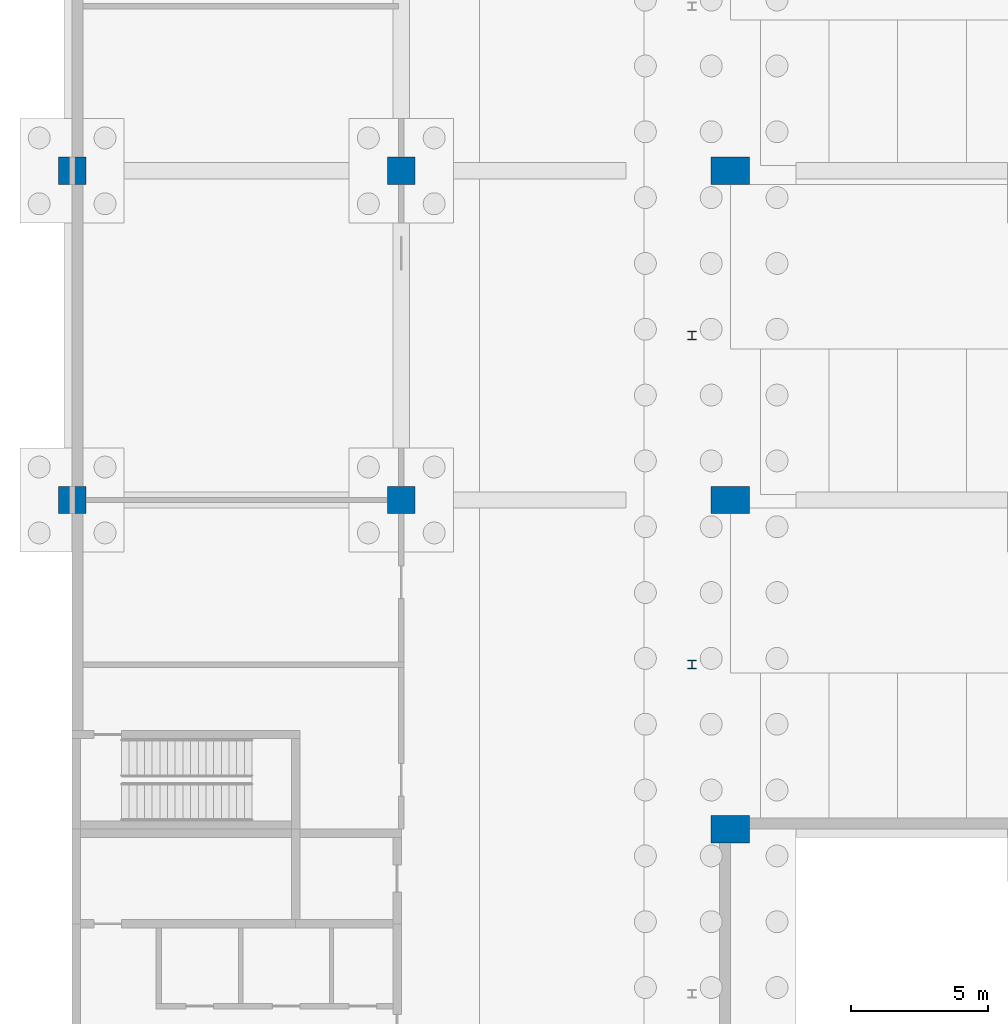
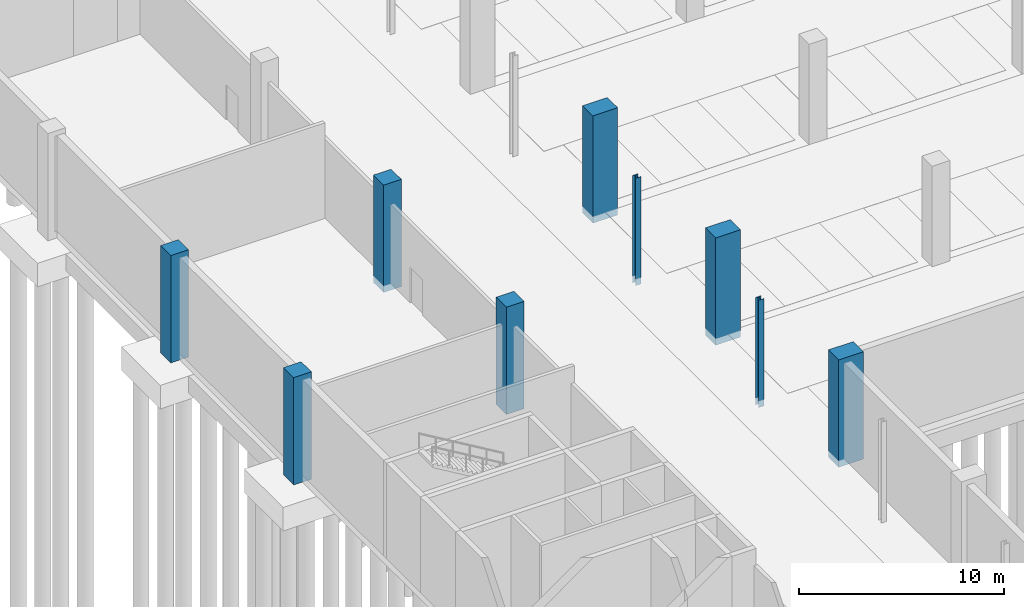
# One storey, part 7 of 34: 9 columns.
"""IFC4 building model written with IfcOpenShell, lengths in metres."""

from ifc_helpers import new_model, si_unit, direction, frame, origin, origin_2d, place, context, subcontext, project, spatial, rectangle, i_section, extrude, material, material_profile, profile_set, type_object, element, save


model = new_model("IFC4")

# Units and contexts
model_context = context("Model", 3, precision=1e-05, world=origin(), true_north=direction((0.0, 1.0)))
body_context = subcontext(model_context, "Body", "Model", "MODEL_VIEW")
ifc_project = project(units=[si_unit("LENGTHUNIT", "METRE"), si_unit("AREAUNIT", "SQUARE_METRE"), si_unit("VOLUMEUNIT", "CUBIC_METRE"), si_unit("PLANEANGLEUNIT", "RADIAN"), si_unit("MASSUNIT", "GRAM", prefix="KILO")], contexts=[model_context])

# Site, building, storey
site_placement = place(None, origin())
site = spatial("IfcSite", under=ifc_project, at=site_placement, CompositionType="ELEMENT")
building_placement = place(site_placement, origin())
building = spatial("IfcBuilding", under=site, at=building_placement, Name="Lilac Gate Convention Centre", CompositionType="ELEMENT")
storey_placement = place(building_placement, frame((0.0, 0.0, -6.0)))
storey = spatial("IfcBuildingStorey", under=building, at=storey_placement, Name="B1", CompositionType="ELEMENT", Elevation=-6.0)

# Columns
ifc_material_1 = material(Name="Concrete C40", Category="concrete")
ifc_material_profile_1 = material_profile(ifc_material_1, rectangle(XDim=1.0, YDim=1.0, at=origin_2d()), Name="RC 1000x1000")
ifc_profile_set_1 = profile_set([ifc_material_profile_1], Name="Concrete C40")
column_type_1 = type_object("IfcColumnType", Name="RC column 1000x1000 C40", PredefinedType="COLUMN", material=ifc_profile_set_1)
for number, where, z_axis, x_axis, name in (
    (1, (6.0, 114.0, -0.39990234375), (0.0, 0.0, 1.0), (1.0, 0.0, 0.0), "C1 B1 at 1/H"),
    (2, (6.0, 126.0, -0.39990234375), (0.0, 0.0, 1.0), (1.0, 0.0, 0.0), "C1 B1 at 1/J"),
    (3, (18.0, 114.0, -0.39990234375), (0.0, 0.0, 1.0), (1.0, 0.0, 0.0), "C1 B1 at 2/H"),
    (4, (18.0, 126.0, -0.39990234375), (0.0, 0.0, 1.0), (1.0, 0.0, 0.0), "C1 B1 at 2/J"),
):
    element("IfcColumn", number, at=place(storey_placement, frame(where, z_axis=z_axis, x_axis=x_axis)), inside=storey, type_object=column_type_1, Name=name, PredefinedType="COLUMN", context=body_context, shape_type="SweptSolid", body=[
        extrude(rectangle(XDim=1.0, YDim=1.0, at=origin_2d()), origin(), (0.0, 0.0, 1.0), 6.39990234375),
    ])
ifc_material_profile_2 = material_profile(ifc_material_1, rectangle(XDim=1.39990234375, YDim=1.0, at=origin_2d()), Name="RC 1400x1000")
ifc_profile_set_2 = profile_set([ifc_material_profile_2], Name="Concrete C40")
column_type_2 = type_object("IfcColumnType", Name="RC hall column 1400x1000 C40", PredefinedType="COLUMN", material=ifc_profile_set_2)
for number, where, z_axis, x_axis, name in (
    (5, (30.0, 102.0, -0.39990234375), (0.0, 0.0, 1.0), (1.0, 0.0, 0.0), "C2 B1 at 3/G"),
    (6, (30.0, 114.0, -0.39990234375), (0.0, 0.0, 1.0), (1.0, 0.0, 0.0), "C2 B1 at 3/H"),
    (7, (30.0, 126.0, -0.39990234375), (0.0, 0.0, 1.0), (1.0, 0.0, 0.0), "C2 B1 at 3/J"),
):
    element("IfcColumn", number, at=place(storey_placement, frame(where, z_axis=z_axis, x_axis=x_axis)), inside=storey, type_object=column_type_2, Name=name, PredefinedType="COLUMN", context=body_context, shape_type="SweptSolid", body=[
        extrude(rectangle(XDim=1.39990234375, YDim=1.0, at=origin_2d()), origin(), (0.0, 0.0, 1.0), 6.39990234375),
    ])
ifc_material_2 = material(Name="Steel Q355B", Category="steel")
ifc_material_profile_3 = material_profile(ifc_material_2, i_section(OverallWidth=0.300048828125, OverallDepth=0.300048828125, WebThickness=0.010009765625, FlangeThickness=0.014892578125, FilletRadius=0.012939453125, at=origin_2d()), Name="HW300x300x10x15")
ifc_profile_set_3 = profile_set([ifc_material_profile_3], Name="Steel Q355B")
column_type_3 = type_object("IfcColumnType", Name="Steel column HW300x300x10x15", PredefinedType="COLUMN", material=ifc_profile_set_3)
for number, where, z_axis, x_axis, name in (
    (8, (28.60009765625, 108.0, -0.39990234375), (0.0, 0.0, 1.0), (1.0, 0.0, 0.0), "SC1 B1 atrium column at 108"),
    (9, (28.60009765625, 120.0, -0.39990234375), (0.0, 0.0, 1.0), (1.0, 0.0, 0.0), "SC1 B1 atrium column at 120"),
):
    element("IfcColumn", number, at=place(storey_placement, frame(where, z_axis=z_axis, x_axis=x_axis)), inside=storey, type_object=column_type_3, Name=name, PredefinedType="COLUMN", context=body_context, shape_type="SweptSolid", body=[
        extrude(i_section(OverallWidth=0.300048828125, OverallDepth=0.300048828125, WebThickness=0.010009765625, FlangeThickness=0.014892578125, FilletRadius=0.012939453125, at=origin_2d()), origin(), (0.0, 0.0, 1.0), 6.39990234375),
    ])

save(model, "model.ifc")
